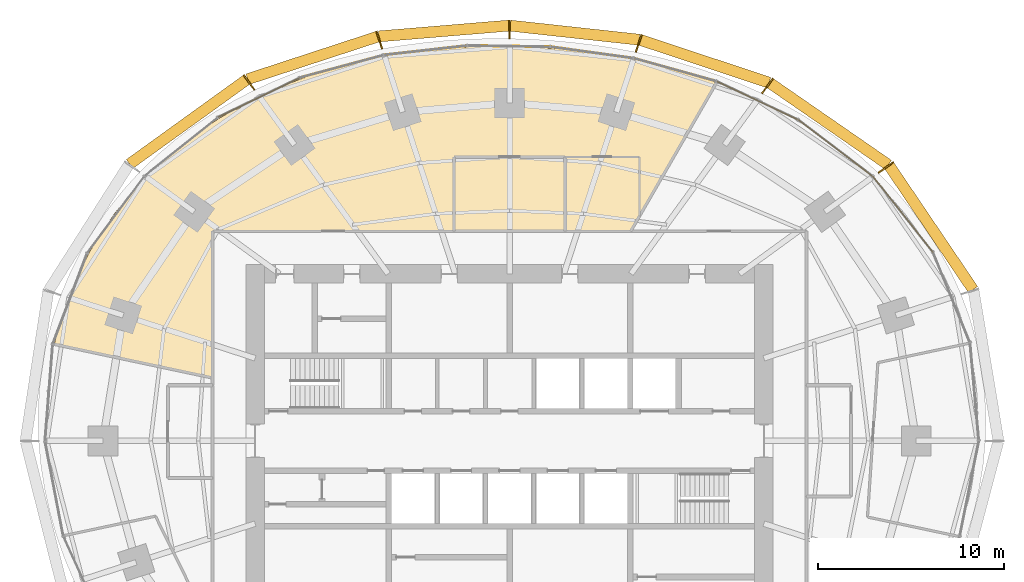
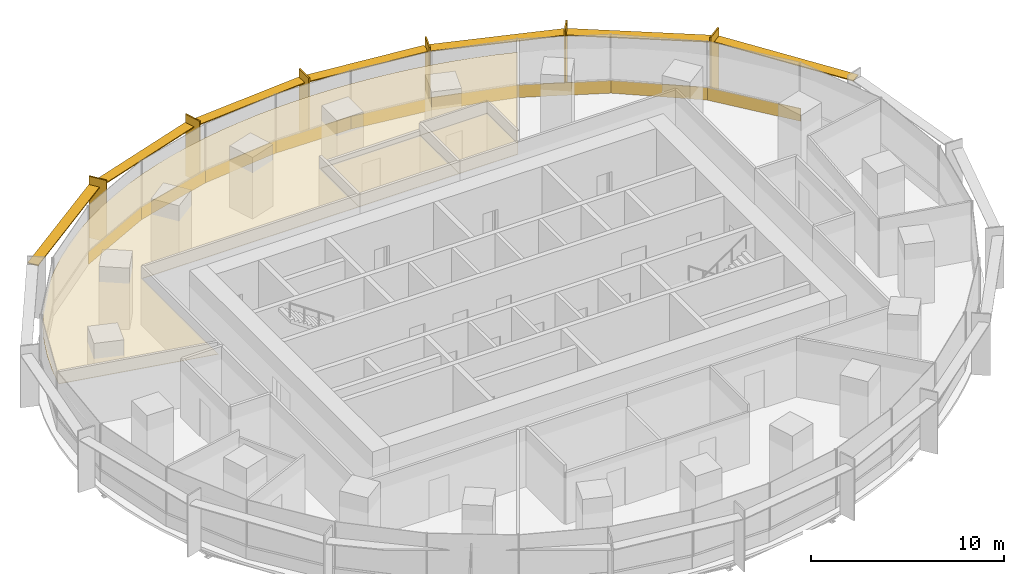
# One storey, part 14 of 14: 13 shading devices, 12 coverings.
"""IFC4 building model written with IfcOpenShell, lengths in metres."""

from ifc_helpers import new_model, si_unit, direction, frame, origin, origin_2d, place, context, subcontext, project, spatial, polyline, rectangle, outline, extrude, material, layer, layer_set, type_object, element, save


model = new_model("IFC4")

# Units and contexts
model_context = context("Model", 3, precision=1e-05, world=origin(), true_north=direction((0.0, 1.0)))
body_context = subcontext(model_context, "Body", "Model", "MODEL_VIEW")
ifc_project = project(units=[si_unit("LENGTHUNIT", "METRE"), si_unit("AREAUNIT", "SQUARE_METRE"), si_unit("VOLUMEUNIT", "CUBIC_METRE"), si_unit("PLANEANGLEUNIT", "RADIAN"), si_unit("MASSUNIT", "GRAM", prefix="KILO")], contexts=[model_context])

# Site, building, storey
site_placement = place(None, origin())
site = spatial("IfcSite", under=ifc_project, at=site_placement, CompositionType="ELEMENT")
building_placement = place(site_placement, origin())
building = spatial("IfcBuilding", under=site, at=building_placement, Name="Marramba Exchange Tower", CompositionType="ELEMENT")
storey_placement = place(building_placement, frame((0.0, 0.0, 115.800048828125)))
storey = spatial("IfcBuildingStorey", under=building, at=storey_placement, Name="L27", CompositionType="ELEMENT", Elevation=115.800048828125)

# Shading devices
ifc_material_1 = material(Name="Aluminium blade, timber-look bronze finish", Category="wood")
ifc_layer_1 = layer(ifc_material_1, 0.080078125)
ifc_layer_set_1 = layer_set([ifc_layer_1], Name="Floor-edge blade 1000x80")
shading_device_type_1 = type_object("IfcShadingDeviceType", Name="Floor-edge blade 1000x80", PredefinedType="USERDEFINED", material=ifc_layer_set_1)
for number, where, z_axis, x_axis, name in (
    (1, (20.27392578125, 14.72998046875, -0.159912109375), (0.0, 0.0, 1.0), (0.809016994375, 0.587785252292, 0.0), "Floor-edge blade FB1 L27 TC03"),
    (2, (13.8955078125, 19.12548828125, -0.159912109375), (0.0, 0.0, 1.0), (0.587785252292, 0.809016994375, 0.0), "Floor-edge blade FB1 L27 TC04"),
    (3, (6.958984375, 21.41748046875, -0.159912109375), (0.0, 0.0, 1.0), (0.309016994375, 0.951056516295, 0.0), "Floor-edge blade FB1 L27 TC05"),
    (4, (0.0, 22.173095703125, -0.159912109375), (0.0, 0.0, 1.0), (0.0, 1.0, 0.0), "Floor-edge blade FB1 L27 TC06"),
    (5, (-7.016845703125, 21.595703125, -0.159912109375), (0.0, 0.0, 1.0), (-0.309016994375, 0.951056516295, 0.0), "Floor-edge blade FB1 L27 TC07"),
    (6, (-14.029296875, 19.3095703125, -0.159912109375), (0.0, 0.0, 1.0), (-0.587785252292, 0.809016994375, 0.0), "Floor-edge blade FB1 L27 TC08"),
):
    element("IfcShadingDevice", number, at=place(storey_placement, frame(where, z_axis=z_axis, x_axis=x_axis)), inside=storey, type_object=shading_device_type_1, Name=name, ObjectType="FIN", PredefinedType="USERDEFINED", context=body_context, shape_type="SweptSolid", body=[
        extrude(rectangle(XDim=1.0, YDim=0.080078125, at=origin_2d()), origin(), (0.0, 0.0, 1.0), 3.89990234375),
    ])
ifc_material_2 = material(Name="Aluminium sunshade, bronze anodised", Category="aluminium")
ifc_layer_2 = layer(ifc_material_2, 0.06005859375)
ifc_layer_set_2 = layer_set([ifc_layer_2], Name="SUNSHADE blade 600x60")
shading_device_type_2 = type_object("IfcShadingDeviceType", Name="SUNSHADE blade 600x60", PredefinedType="USERDEFINED", material=ifc_layer_set_2)
shading_device_1_placement = place(storey_placement, frame((22.712158203125, 11.4833984375, 3.159912109375), z_axis=(0.0, 0.0, 1.0), x_axis=(-0.560441804861, 0.828193807852, 0.0)))
element("IfcShadingDevice", 7, at=shading_device_1_placement, inside=storey, type_object=shading_device_type_2, Name="Sunshade SS1 L27 bay 02", ObjectType="SUNSHADE", PredefinedType="USERDEFINED", context=body_context, shape_type="SweptSolid", body=[
    extrude(rectangle(XDim=8.0439453125, YDim=0.60009765625, at=origin_2d()), origin(), (0.0, 0.0, 1.0), 0.06005859375),
])
shading_device_2_placement = place(storey_placement, frame((17.224365234375, 17.0673828125, 3.159912109375), z_axis=(0.0, 0.0, 1.0), x_axis=(-0.822589509071, 0.568635647464, 0.0)))
element("IfcShadingDevice", 8, at=shading_device_2_placement, inside=storey, type_object=shading_device_type_2, Name="Sunshade SS1 L27 bay 03", ObjectType="SUNSHADE", PredefinedType="USERDEFINED", context=body_context, shape_type="SweptSolid", body=[
    extrude(rectangle(XDim=7.72802734375, YDim=0.60009765625, at=origin_2d()), origin(), (0.0, 0.0, 1.0), 0.06005859375),
])
shading_device_3_placement = place(storey_placement, frame((10.516845703125, 20.447509765625, 3.159912109375), z_axis=(0.0, 0.0, 1.0), x_axis=(-0.949101076178, 0.314971660944, 0.0)))
element("IfcShadingDevice", 9, at=shading_device_3_placement, inside=storey, type_object=shading_device_type_2, Name="Sunshade SS1 L27 bay 04", ObjectType="SUNSHADE", PredefinedType="USERDEFINED", context=body_context, shape_type="SweptSolid", body=[
    extrude(rectangle(XDim=7.287353515625, YDim=0.60009765625, at=origin_2d()), origin(), (0.0, 0.0, 1.0), 0.06005859375),
])
shading_device_4_placement = place(storey_placement, frame((3.510498046875, 21.990478515625, 3.159912109375), z_axis=(0.0, 0.0, 1.0), x_axis=(-0.994111392801, 0.108362995081, 0.0)))
element("IfcShadingDevice", 10, at=shading_device_4_placement, inside=storey, type_object=shading_device_type_2, Name="Sunshade SS1 L27 bay 05", ObjectType="SUNSHADE", PredefinedType="USERDEFINED", context=body_context, shape_type="SweptSolid", body=[
    extrude(rectangle(XDim=6.982421875, YDim=0.60009765625, at=origin_2d()), origin(), (0.0, 0.0, 1.0), 0.06005859375),
])
shading_device_5_placement = place(storey_placement, frame((-3.539306640625, 22.07958984375, 3.159912109375), z_axis=(0.0, 0.0, 1.0), x_axis=(-0.996577838412, -0.08265961521, 0.0)))
element("IfcShadingDevice", 11, at=shading_device_5_placement, inside=storey, type_object=shading_device_type_2, Name="Sunshade SS1 L27 bay 06", ObjectType="SUNSHADE", PredefinedType="USERDEFINED", context=body_context, shape_type="SweptSolid", body=[
    extrude(rectangle(XDim=7.02294921875, YDim=0.60009765625, at=origin_2d()), origin(), (0.0, 0.0, 1.0), 0.06005859375),
])
shading_device_6_placement = place(storey_placement, frame((-10.61279296875, 20.628662109375, 3.159912109375), z_axis=(0.0, 0.0, 1.0), x_axis=(-0.950345637432, -0.311196351865, 0.0)))
element("IfcShadingDevice", 12, at=shading_device_6_placement, inside=storey, type_object=shading_device_type_2, Name="Sunshade SS1 L27 bay 07", ObjectType="SUNSHADE", PredefinedType="USERDEFINED", context=body_context, shape_type="SweptSolid", body=[
    extrude(rectangle(XDim=7.357421875, YDim=0.60009765625, at=origin_2d()), origin(), (0.0, 0.0, 1.0), 0.06005859375),
])
shading_device_7_placement = place(storey_placement, frame((-17.322509765625, 17.18212890625, 3.159912109375), z_axis=(0.0, 0.0, 1.0), x_axis=(-0.811199164202, -0.584769968448, 0.0)))
element("IfcShadingDevice", 13, at=shading_device_7_placement, inside=storey, type_object=shading_device_type_2, Name="Sunshade SS1 L27 bay 08", ObjectType="SUNSHADE", PredefinedType="USERDEFINED", context=body_context, shape_type="SweptSolid", body=[
    extrude(rectangle(XDim=7.749755859375, YDim=0.60009765625, at=origin_2d()), origin(), (0.0, 0.0, 1.0), 0.06005859375),
])

# Coverings
ifc_material_3 = material(Name="Aluminium spandrel panel, bronze anodised, insulated", Category="aluminium")
ifc_layer_3 = layer(ifc_material_3, 0.050048828125)
ifc_layer_set_3 = layer_set([ifc_layer_3], Name="Spandrel panel 800")
covering_type_1 = type_object("IfcCoveringType", Name="Spandrel panel 800", PredefinedType="CLADDING", material=ifc_layer_set_3)
covering_1_placement = place(storey_placement, frame((21.20068359375, 12.194091796875, 0.0), z_axis=(0.0, 0.0, 1.0), x_axis=(-0.621311998758, 0.783563271344, 0.0)))
element("IfcCovering", 14, at=covering_1_placement, inside=storey, type_object=covering_type_1, Name="Spandrel panel SP1 L27 F03", PredefinedType="CLADDING", context=body_context, shape_type="SweptSolid", body=[
    extrude(rectangle(XDim=5.197021484375, YDim=0.050048828125, at=origin_2d()), origin(), (0.0, 0.0, 1.0), 0.800048828125),
])
covering_2_placement = place(storey_placement, frame((17.576171875, 15.759033203125, 0.0), z_axis=(0.0, 0.0, 1.0), x_axis=(-0.795971745176, 0.605333776426, 0.0)))
element("IfcCovering", 15, at=covering_2_placement, inside=storey, type_object=covering_type_1, Name="Spandrel panel SP1 L27 F04", PredefinedType="CLADDING", context=body_context, shape_type="SweptSolid", body=[
    extrude(rectangle(XDim=5.05078125, YDim=0.050048828125, at=origin_2d()), origin(), (0.0, 0.0, 1.0), 0.800048828125),
])
covering_3_placement = place(storey_placement, frame((13.371337890625, 18.322998046875, 0.0), z_axis=(0.0, 0.0, 1.0), x_axis=(-0.904403135206, 0.426678999987, 0.0)))
element("IfcCovering", 16, at=covering_3_placement, inside=storey, type_object=covering_type_1, Name="Spandrel panel SP1 L27 F05", PredefinedType="CLADDING", context=body_context, shape_type="SweptSolid", body=[
    extrude(rectangle(XDim=4.853271484375, YDim=0.050048828125, at=origin_2d()), origin(), (0.0, 0.0, 1.0), 0.800048828125),
])
covering_4_placement = place(storey_placement, frame((8.9365234375, 19.98388671875, 0.0), z_axis=(0.0, 0.0, 1.0), x_axis=(-0.963177847397, 0.268865085655, 0.0)))
element("IfcCovering", 17, at=covering_4_placement, inside=storey, type_object=covering_type_1, Name="Spandrel panel SP1 L27 F06", PredefinedType="CLADDING", context=body_context, shape_type="SweptSolid", body=[
    extrude(rectangle(XDim=4.651611328125, YDim=0.050048828125, at=origin_2d()), origin(), (0.0, 0.0, 1.0), 0.800048828125),
])
covering_5_placement = place(storey_placement, frame((4.46337890625, 20.915283203125, 0.0), z_axis=(0.0, 0.0, 1.0), x_axis=(-0.990738214019, 0.135785828725, 0.0)))
element("IfcCovering", 18, at=covering_5_placement, inside=storey, type_object=covering_type_1, Name="Spandrel panel SP1 L27 F07", PredefinedType="CLADDING", context=body_context, shape_type="SweptSolid", body=[
    extrude(rectangle(XDim=4.507568359375, YDim=0.050048828125, at=origin_2d()), origin(), (0.0, 0.0, 1.0), 0.800048828125),
])
covering_6_placement = place(storey_placement, frame((-0.003662109375, 21.25634765625, 0.0), z_axis=(0.0, 0.0, 1.0), x_axis=(-0.999875870008, 0.015755779107, 0.0)))
element("IfcCovering", 19, at=covering_6_placement, inside=storey, type_object=covering_type_1, Name="Spandrel panel SP1 L27 F08", PredefinedType="CLADDING", context=body_context, shape_type="SweptSolid", body=[
    extrude(rectangle(XDim=4.46875, YDim=0.050048828125, at=origin_2d()), origin(), (0.0, 0.0, 1.0), 0.800048828125),
])
covering_7_placement = place(storey_placement, frame((-4.49609375, 21.03955078125, 0.0), z_axis=(0.0, 0.0, 1.0), x_axis=(-0.993823395975, -0.110973229261, 0.0)))
element("IfcCovering", 20, at=covering_7_placement, inside=storey, type_object=covering_type_1, Name="Spandrel panel SP1 L27 F09", PredefinedType="CLADDING", context=body_context, shape_type="SweptSolid", body=[
    extrude(rectangle(XDim=4.54443359375, YDim=0.050048828125, at=origin_2d()), origin(), (0.0, 0.0, 1.0), 0.800048828125),
])
covering_8_placement = place(storey_placement, frame((-9.0244140625, 20.17529296875, 0.0), z_axis=(0.0, 0.0, 1.0), x_axis=(-0.965522049344, -0.26032128655, 0.0)))
element("IfcCovering", 21, at=covering_8_placement, inside=storey, type_object=covering_type_1, Name="Spandrel panel SP1 L27 F10", PredefinedType="CLADDING", context=body_context, shape_type="SweptSolid", body=[
    extrude(rectangle(XDim=4.70263671875, YDim=0.050048828125, at=origin_2d()), origin(), (0.0, 0.0, 1.0), 0.800048828125),
])
covering_9_placement = place(storey_placement, frame((-13.49609375, 18.498291015625, 0.0), z_axis=(0.0, 0.0, 1.0), x_axis=(-0.900223736484, -0.435427633794, 0.0)))
element("IfcCovering", 22, at=covering_9_placement, inside=storey, type_object=covering_type_1, Name="Spandrel panel SP1 L27 F11", PredefinedType="CLADDING", context=body_context, shape_type="SweptSolid", body=[
    extrude(rectangle(XDim=4.890625, YDim=0.050048828125, at=origin_2d()), origin(), (0.0, 0.0, 1.0), 0.800048828125),
])
ifc_material_4 = material(Name="Mineral fibre ceiling tiles", Category="gypsum")
ifc_layer_4 = layer(ifc_material_4, 0.02001953125)
ifc_layer_set_4 = layer_set([ifc_layer_4], Name="Suspended ceiling 20")
covering_type_2 = type_object("IfcCoveringType", Name="Suspended ceiling 20", PredefinedType="CEILING", material=ifc_layer_set_4)
covering_10_placement = place(storey_placement, frame((0.0, 0.0, 2.89990234375)))
element("IfcCovering", 23, at=covering_10_placement, inside=storey, type_object=covering_type_2, Name="Ceiling CL1 L27 Open Plan Office 2", PredefinedType="CEILING", context=body_context, shape_type="SweptSolid", body=[
    extrude(outline(polyline([(-16.0, 3.40087890625), (-24.52294921875, 5.21240234375), (-24.1904296875, 6.481689453125), (-23.768798828125, 7.722900390625), (-23.260498046875, 8.928955078125), (-22.669677734375, 10.09326171875), (-22.0009765625, 11.2099609375), (-21.259765625, 12.2744140625), (-20.451904296875, 13.28173828125), (-19.583984375, 14.228759765625), (-18.66259765625, 15.11279296875), (-17.6943359375, 15.93212890625), (-16.685791015625, 16.685791015625), (-15.643798828125, 17.374267578125), (-14.57421875, 17.99755859375), (-13.482666015625, 18.55712890625), (-12.37451171875, 19.05517578125), (-11.2548828125, 19.493896484375), (-10.127197265625, 19.875732421875), (-8.995361328125, 20.203857421875), (-7.862060546875, 20.4814453125), (-6.7294921875, 20.711181640625), (-5.59912109375, 20.896484375), (-4.47216796875, 21.0400390625), (-3.34912109375, 21.14453125), (-2.2294921875, 21.212158203125), (-1.11328125, 21.244384765625), (0.0, 21.2431640625), (1.111572265625, 21.208740234375), (2.22216796875, 21.1416015625), (3.332763671875, 21.041748046875), (4.444091796875, 20.907958984375), (5.556884765625, 20.739013671875), (6.671630859375, 20.533203125), (7.787841796875, 20.287841796875), (8.905029296875, 20.0009765625), (10.02197265625, 19.6689453125), (11.13671875, 19.289306640625), (9.422607421875, 16.3203125), (7.0, 12.124267578125), (7.0, 15.300048828125), (3.0, 15.300048828125), (-3.0, 15.300048828125), (-3.0, 11.300048828125), (-16.0, 11.300048828125), (-16.0, 3.40087890625)])), origin(), (0.0, 0.0, 1.0), 0.02001953125),
])
covering_11_placement = place(storey_placement, frame((0.0, 0.0, 2.89990234375)))
element("IfcCovering", 24, at=covering_11_placement, inside=storey, type_object=covering_type_2, Name="Ceiling CL1 L27 Meeting Room 2", PredefinedType="CEILING", context=body_context, shape_type="SweptSolid", body=[
    extrude(outline(polyline([(3.0, 11.300048828125), (-3.0, 11.300048828125), (-3.0, 15.300048828125), (3.0, 15.300048828125), (3.0, 11.300048828125)])), origin(), (0.0, 0.0, 1.0), 0.02001953125),
])
covering_12_placement = place(storey_placement, frame((0.0, 0.0, 2.89990234375)))
element("IfcCovering", 25, at=covering_12_placement, inside=storey, type_object=covering_type_2, Name="Ceiling CL1 L27 Pantry 1", PredefinedType="CEILING", context=body_context, shape_type="SweptSolid", body=[
    extrude(outline(polyline([(7.0, 12.124267578125), (6.524169921875, 11.300048828125), (3.0, 11.300048828125), (3.0, 15.300048828125), (7.0, 15.300048828125), (7.0, 12.124267578125)])), origin(), (0.0, 0.0, 1.0), 0.02001953125),
])

save(model, "model.ifc")
